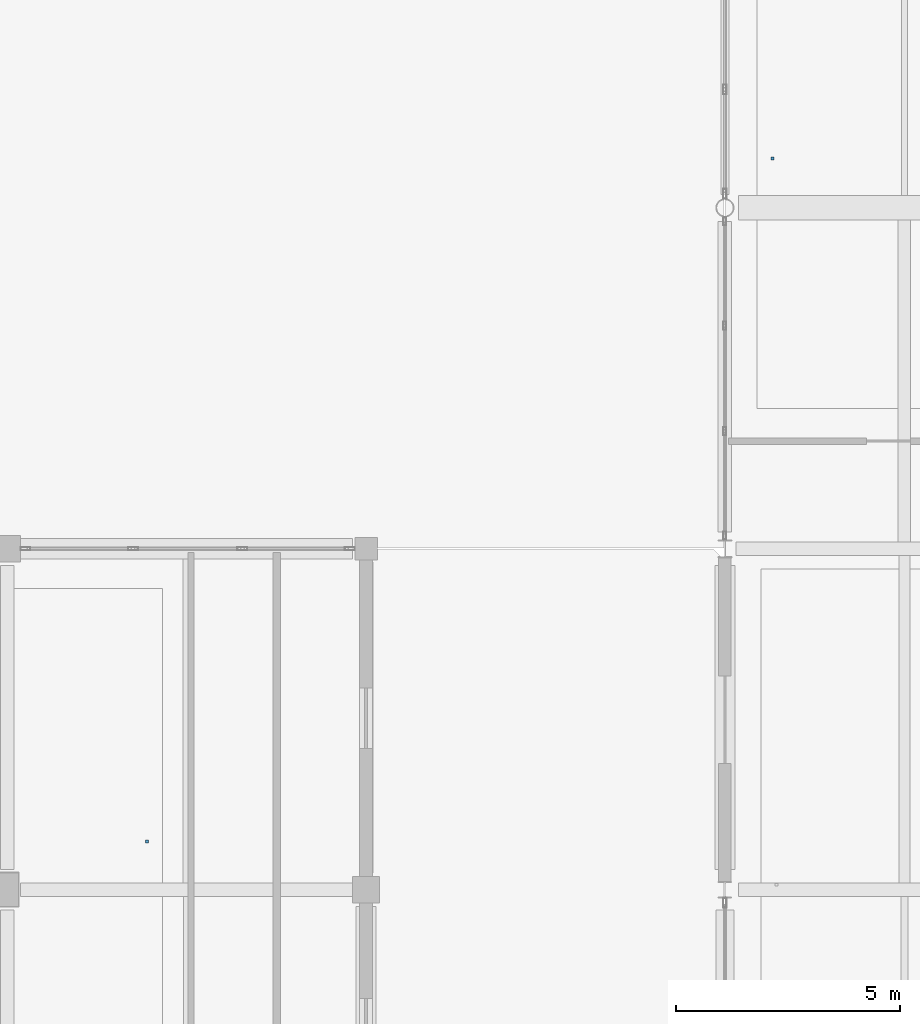
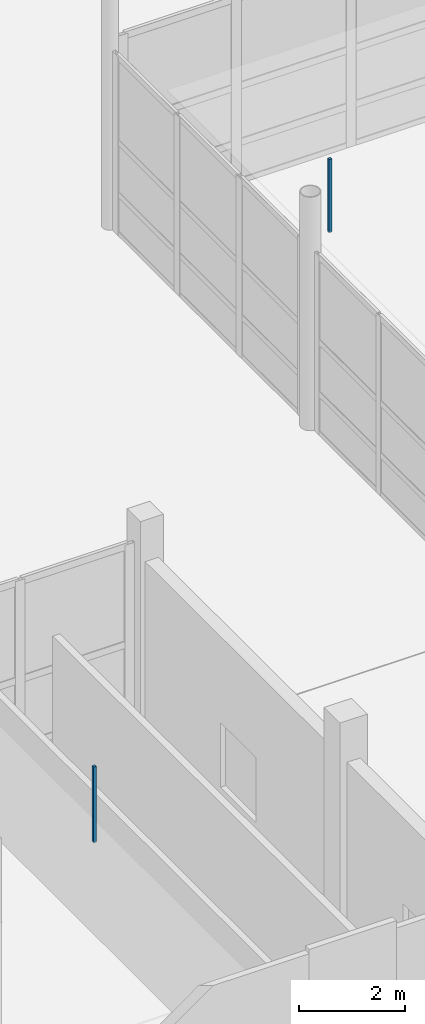
# One storey, part 92 of 126: 2 discrete accessories.
"""IFC4 building model written with IfcOpenShell, lengths in metres."""

from ifc_helpers import new_model, si_unit, direction, frame, origin, origin_2d, place, context, subcontext, project, spatial, rectangle, extrude, material, type_object, element, save


model = new_model("IFC4")

# Units and contexts
model_context = context("Model", 3, precision=1e-05, world=origin(), true_north=direction((0.0, 1.0)))
body_context = subcontext(model_context, "Body", "Model", "MODEL_VIEW")
ifc_project = project(units=[si_unit("LENGTHUNIT", "METRE"), si_unit("AREAUNIT", "SQUARE_METRE"), si_unit("VOLUMEUNIT", "CUBIC_METRE"), si_unit("PLANEANGLEUNIT", "RADIAN"), si_unit("MASSUNIT", "GRAM", prefix="KILO")], contexts=[model_context])

# Site, building, storey
site_placement = place(None, origin())
site = spatial("IfcSite", under=ifc_project, at=site_placement, CompositionType="ELEMENT")
building_placement = place(site_placement, origin())
building = spatial("IfcBuilding", under=site, at=building_placement, Name="Khelvaren Railside Concert Hall", CompositionType="ELEMENT")
storey_placement = place(building_placement, origin())
storey = spatial("IfcBuildingStorey", under=building, at=storey_placement, Name="L00", CompositionType="ELEMENT", Elevation=0.0)

# Discrete accessories
ifc_material = material(Name="Galvanised steel acoustic ceiling hanger rod", Category="steel")
discrete_accessory_type = type_object("IfcDiscreteAccessoryType", Name="BRK62", PredefinedType="BRACKET", material=ifc_material)
discrete_accessory_1_placement = place(storey_placement, frame((145.06005859375, 31.5, 3.429931640625), z_axis=(0.0, 0.0, 1.0), x_axis=(1.0, 0.0, 0.0)))
element("IfcDiscreteAccessory", 1, at=discrete_accessory_1_placement, inside=storey, type_object=discrete_accessory_type, Name="Acoustic Ceiling Suspension Bracket 39-1", PredefinedType="BRACKET", context=body_context, shape_type="SweptSolid", body=[
    extrude(rectangle(XDim=0.06005859375, YDim=0.06005859375, at=origin_2d()), origin(), (0.0, 0.0, 1.0), 1.68994140625),
])
discrete_accessory_2_placement = place(storey_placement, frame((131.116943359375, 16.27490234375, 3.429931640625), z_axis=(0.0, 0.0, 1.0), x_axis=(1.0, 0.0, 0.0)))
element("IfcDiscreteAccessory", 2, at=discrete_accessory_2_placement, inside=storey, type_object=discrete_accessory_type, Name="Acoustic Ceiling Suspension Bracket 70-2", PredefinedType="BRACKET", context=body_context, shape_type="SweptSolid", body=[
    extrude(rectangle(XDim=0.06005859375, YDim=0.06005859375, at=origin_2d()), origin(), (0.0, 0.0, 1.0), 1.75),
])

save(model, "model.ifc")
